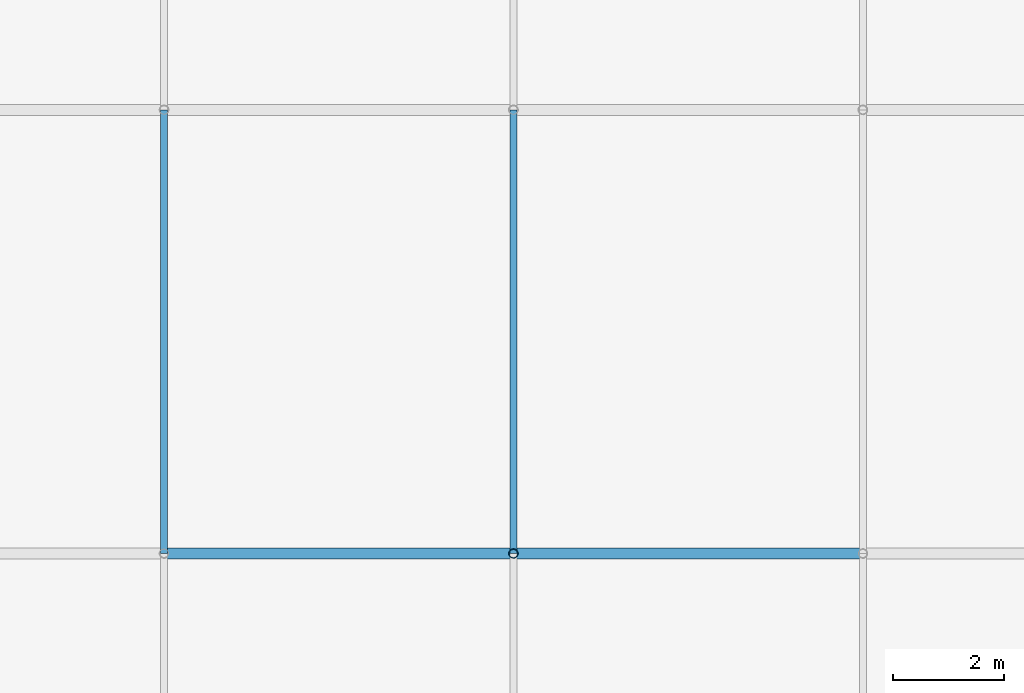
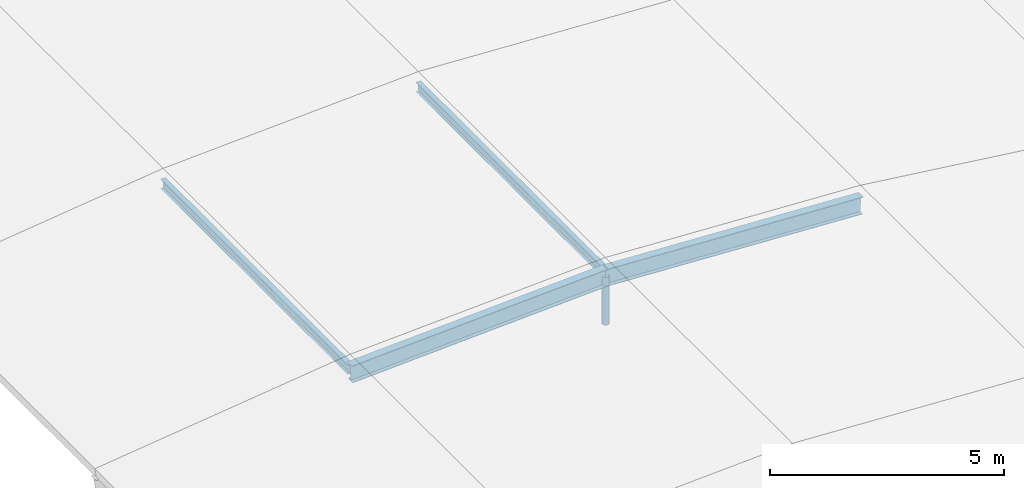
# One storey, part 27 of 76: 5 members.
"""IFC4 building model written with IfcOpenShell, lengths in metres."""

from ifc_helpers import new_model, si_unit, direction, frame, origin, origin_2d, place, context, subcontext, project, spatial, hollow_circle, i_section, extrude, material, material_profile, profile_set, type_object, element, save


model = new_model("IFC4")

# Units and contexts
model_context = context("Model", 3, precision=1e-05, world=origin(), true_north=direction((0.0, 1.0)))
body_context = subcontext(model_context, "Body", "Model", "MODEL_VIEW")
ifc_project = project(units=[si_unit("LENGTHUNIT", "METRE"), si_unit("AREAUNIT", "SQUARE_METRE"), si_unit("VOLUMEUNIT", "CUBIC_METRE"), si_unit("PLANEANGLEUNIT", "RADIAN"), si_unit("MASSUNIT", "GRAM", prefix="KILO")], contexts=[model_context])

# Site, building, storey
site_placement = place(None, origin())
site = spatial("IfcSite", under=ifc_project, at=site_placement, CompositionType="ELEMENT")
building_placement = place(site_placement, origin())
building = spatial("IfcBuilding", under=site, at=building_placement, Name="Naruveol Harbour Congress Hotel", CompositionType="ELEMENT")
storey_placement = place(building_placement, frame((0.0, 0.0, 11.39990234375)))
storey = spatial("IfcBuildingStorey", under=building, at=storey_placement, Name="L02", CompositionType="ELEMENT", Elevation=11.39990234375)

# Members
ifc_material_1 = material(Name="Steel SN490", Category="steel")
ifc_material_profile_1 = material_profile(ifc_material_1, i_section(OverallWidth=0.199951171875, OverallDepth=0.449951171875, WebThickness=0.009033203125, FlangeThickness=0.013916015625, at=origin_2d()), Name="H-450x200x9x14")
ifc_profile_set_1 = profile_set([ifc_material_profile_1], Name="Steel SN490")
member_type_1 = type_object("IfcMemberType", Name="STEEL BUTTERFLY CROWN RAFTER H450", PredefinedType="RAFTER", material=ifc_profile_set_1)
member_1_placement = place(storey_placement, frame((6.300048828125, 88.0, 0.530029296875), z_axis=(0.998711964154, 0.0, 0.050738670219), x_axis=(0.0, 1.0, 0.0)))
element("IfcMember", 1, at=member_1_placement, inside=storey, type_object=member_type_1, Name="Spa vault arch rib #3.2", PredefinedType="RAFTER", context=body_context, shape_type="SweptSolid", body=[
    extrude(i_section(OverallWidth=0.199951171875, OverallDepth=0.449951171875, WebThickness=0.009033203125, FlangeThickness=0.013916015625, at=origin_2d()), origin(), (0.0, 0.0, 1.0), 6.30810546875),
])
member_2_placement = place(storey_placement, frame((12.60009765625, 88.0, 0.85009765625), z_axis=(0.998711864513, 0.0, -0.050740631467), x_axis=(0.0, 1.0, 0.0)))
element("IfcMember", 2, at=member_2_placement, inside=storey, type_object=member_type_1, Name="Spa vault arch rib #3.3", PredefinedType="RAFTER", context=body_context, shape_type="SweptSolid", body=[
    extrude(i_section(OverallWidth=0.199951171875, OverallDepth=0.449951171875, WebThickness=0.009033203125, FlangeThickness=0.013916015625, at=origin_2d()), origin(), (0.0, 0.0, 1.0), 6.307861328125),
])
ifc_material_2 = material(Name="Steel SN490", Category="steel")
ifc_material_profile_2 = material_profile(ifc_material_2, hollow_circle(Radius=0.084228515625, WallThickness=0.008056640625, at=origin_2d()), Name="CHS-168.3x8")
ifc_profile_set_2 = profile_set([ifc_material_profile_2], Name="Steel SN490")
member_type_2 = type_object("IfcMemberType", Name="STEEL GABLE TRUSS WEB BRACE CHS168", PredefinedType="BRACE", material=ifc_profile_set_2)
member_3_placement = place(storey_placement, frame((12.60009765625, 88.0, -0.39990234375), z_axis=(0.0, 0.0, 1.0), x_axis=(1.0, 0.0, 0.0)))
element("IfcMember", 3, at=member_3_placement, inside=storey, type_object=member_type_2, Name="Spa vault crown web post #3", PredefinedType="BRACE", context=body_context, shape_type="SweptSolid", body=[
    extrude(hollow_circle(Radius=0.084228515625, WallThickness=0.008056640625, at=origin_2d()), origin(), (0.0, 0.0, 1.0), 1.25),
])
ifc_material_3 = material(Name="Steel SN490", Category="steel")
ifc_material_profile_3 = material_profile(ifc_material_3, i_section(OverallWidth=0.125, OverallDepth=0.25, WebThickness=0.006103515625, FlangeThickness=0.009033203125, at=origin_2d()), Name="H-250x125x6x9")
ifc_profile_set_3 = profile_set([ifc_material_profile_3], Name="Steel SN490")
member_type_3 = type_object("IfcMemberType", Name="STEEL ROOF PURLIN MEMBER H250", PredefinedType="PURLIN", material=ifc_profile_set_3)
for number, where, z_axis, x_axis, name in (
    (4, (6.300048828125, 88.0, 0.6201171875), (0.0, 1.0, 0.0), (-1.0, 0.0, 0.0), "Spa barrel vault purlin X=6.3"),
    (5, (12.60009765625, 88.0, 0.940185546875), (0.0, 1.0, 0.0), (-1.0, 0.0, 0.0), "Spa barrel vault purlin X=12.6"),
):
    element("IfcMember", number, at=place(storey_placement, frame(where, z_axis=z_axis, x_axis=x_axis)), inside=storey, type_object=member_type_3, Name=name, PredefinedType="PURLIN", context=body_context, shape_type="SweptSolid", body=[
        extrude(i_section(OverallWidth=0.125, OverallDepth=0.25, WebThickness=0.006103515625, FlangeThickness=0.009033203125, at=origin_2d()), origin(), (0.0, 0.0, 1.0), 8.0),
    ])

save(model, "model.ifc")
